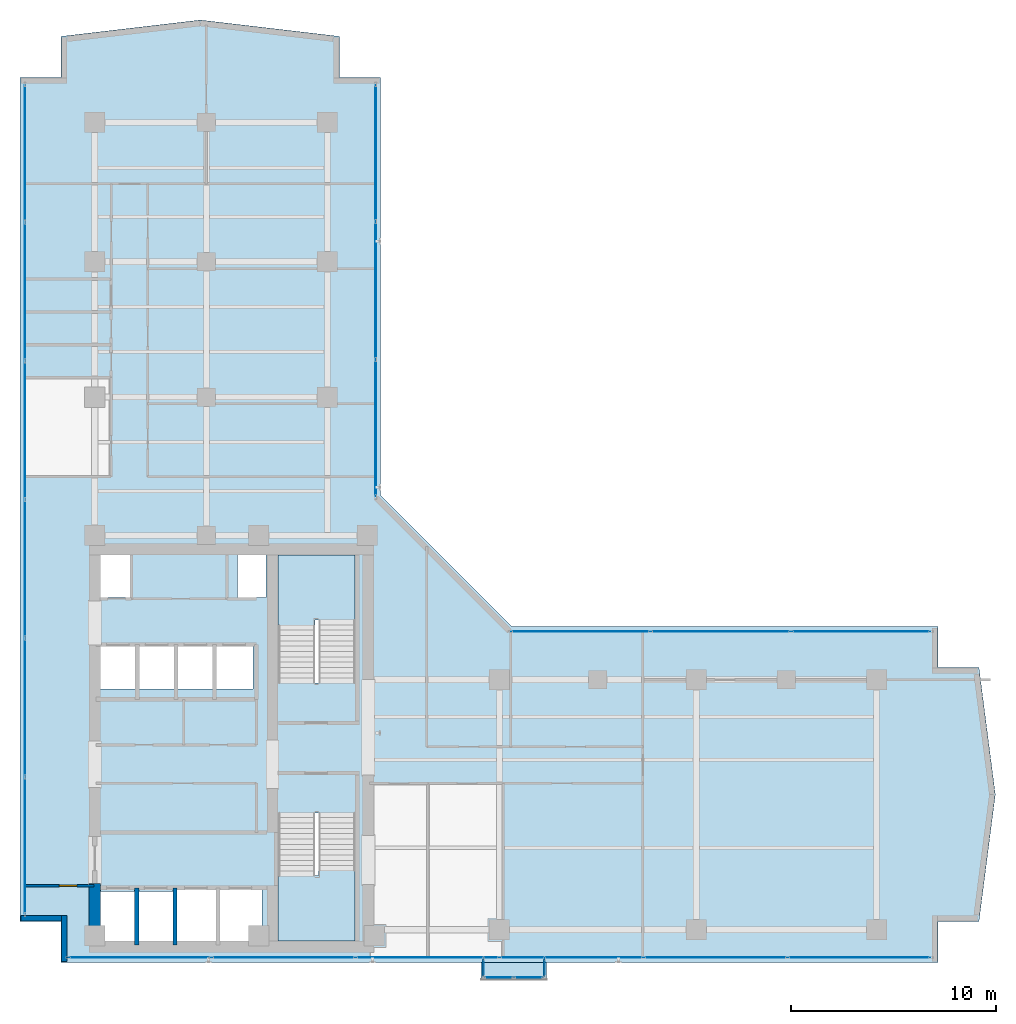
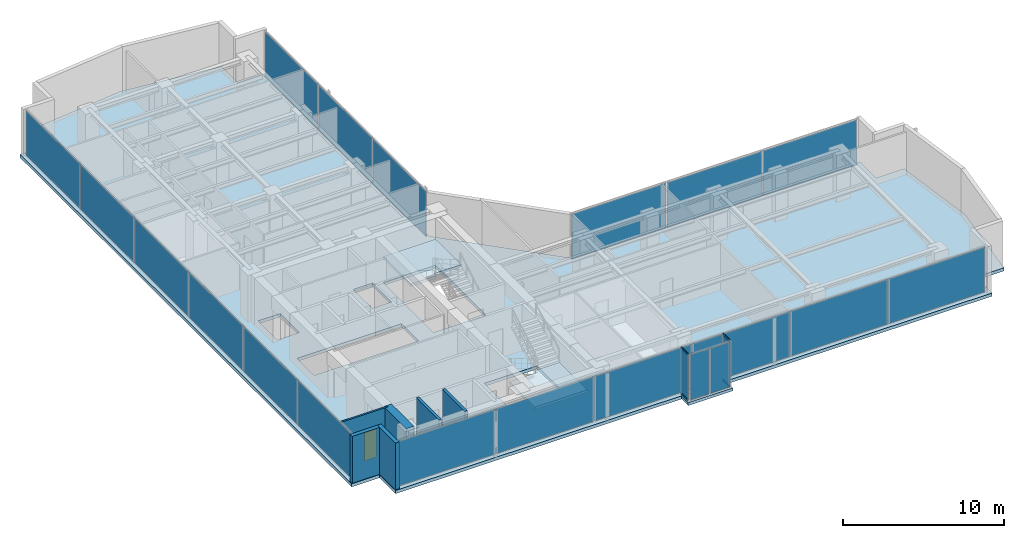
# One storey, part 16 of 23: 22 plates, 6 walls, 4 members, 4 slabs, 1 door, 1 opening, 9 elements without a shape of their own.
"""IFC4 building model written with IfcOpenShell, lengths in metres."""

import ifcopenshell
import ifcopenshell.guid

model = None  # the IFC model being written
_history = None  # IfcOwnerHistory: only IFC2X3 demands one
_inside = {}  # id of a spatial element -> (the spatial element, [elements in it])
_under = {}  # id of a project, library or spatial element -> (it, [spatial elements below it])
_declared = {}  # id of a project -> (the project, [libraries it declares])
_typed = {}  # id of a type object -> (the type object, [elements of that type])
_made_of = {}  # id of a material, layer set ... -> (it, [elements and type objects made of it])


def new_model(schema):
    """Start an empty IFC model of exactly this schema.

    Asked for "IFC4X3", IfcOpenShell would pick the latest addendum, in which some entities
    have other attributes; the version numbers below select the first issue.
    IFC2X3 requires an IfcOwnerHistory on every rooted entity: one is made here for all.
    """
    global model, _history
    if schema == "IFC4X3":
        model = ifcopenshell.file(schema_version=(4, 3, 0, 0))
    else:
        model = ifcopenshell.file(schema=schema)
    _inside.clear()
    _under.clear()
    _declared.clear()
    _typed.clear()
    _made_of.clear()
    _history = None
    if model.schema == "IFC2X3":
        org = make("IfcOrganization", Name="unknown")
        user = make(
            "IfcPersonAndOrganization",
            ThePerson=make("IfcPerson", FamilyName="unknown"),
            TheOrganization=org,
        )
        app = make(
            "IfcApplication",
            ApplicationDeveloper=org,
            Version="unknown",
            ApplicationFullName="unknown",
            ApplicationIdentifier="unknown",
        )
        _history = make(
            "IfcOwnerHistory",
            OwningUser=user,
            OwningApplication=app,
            ChangeAction="ADDED",
            CreationDate=0,
        )
    return model


def make(cls, **values):
    """One entity of the class cls with the attributes given. An attribute that is None is left unset."""
    return model.create_entity(
        cls, **{name: value for name, value in values.items() if value is not None}
    )


def rooted(cls, **values):
    """An entity with a GlobalId (a new one), such as an element, a storey or a relation."""
    return make(cls, GlobalId=ifcopenshell.guid.new(), OwnerHistory=_history, **values)


def si_unit(unit_type, name, prefix=None):
    """IfcSIUnit, for example si_unit("LENGTHUNIT", "METRE", prefix="MILLI")."""
    return make("IfcSIUnit", UnitType=unit_type, Prefix=prefix, Name=name)


def assignment(units):
    """IfcUnitAssignment: the units of a project."""
    return None if units is None else make("IfcUnitAssignment", Units=units)


def point(xyz):
    """IfcCartesianPoint."""
    return None if xyz is None else make("IfcCartesianPoint", Coordinates=xyz)


def direction(xyz):
    """IfcDirection."""
    return None if xyz is None else make("IfcDirection", DirectionRatios=xyz)


def frame(location, z_axis=None, x_axis=None):
    """IfcAxis2Placement3D, a coordinate frame: its origin and axes. An axis left out is left unset."""
    return make(
        "IfcAxis2Placement3D",
        Location=point(location),
        Axis=direction(z_axis),
        RefDirection=direction(x_axis),
    )


def frame_2d(location, x_axis=None):
    """IfcAxis2Placement2D, a coordinate frame in the plane: its origin and x axis."""
    return make(
        "IfcAxis2Placement2D", Location=point(location), RefDirection=direction(x_axis)
    )


def origin():
    """The frame at (0, 0, 0) with its axes left unset."""
    return frame((0.0, 0.0, 0.0))


def origin_with_axes():
    """The frame at (0, 0, 0) with the z axis (0, 0, 1) and the x axis (1, 0, 0) written out."""
    return frame((0.0, 0.0, 0.0), z_axis=(0.0, 0.0, 1.0), x_axis=(1.0, 0.0, 0.0))


def origin_2d():
    """The frame at (0, 0) in the plane with its x axis left unset."""
    return frame_2d((0.0, 0.0))


def place(relative_to, where):
    """IfcLocalPlacement: puts the frame where relative to a parent placement (None: the world)."""
    return make(
        "IfcLocalPlacement", PlacementRelTo=relative_to, RelativePlacement=where
    )


def context(
    kind, dimensions, precision=None, world=None, true_north=None, identifier=None
):
    """IfcGeometricRepresentationContext, for example the 3D "Model" context."""
    return make(
        "IfcGeometricRepresentationContext",
        ContextIdentifier=identifier,
        ContextType=kind,
        CoordinateSpaceDimension=dimensions,
        Precision=precision,
        WorldCoordinateSystem=world,
        TrueNorth=true_north,
    )


def subcontext(parent, identifier, kind, view, scale=None):
    """IfcGeometricRepresentationSubContext, for example "Body" below "Model"."""
    return make(
        "IfcGeometricRepresentationSubContext",
        ContextIdentifier=identifier,
        ContextType=kind,
        ParentContext=parent,
        TargetScale=scale,
        TargetView=view,
    )


def project(units=None, contexts=None):
    """IfcProject with its units and contexts."""
    return rooted(
        "IfcProject",
        Name="project",
        RepresentationContexts=contexts,
        UnitsInContext=assignment(units),
    )


def spatial(cls, under=None, at=None, **own):
    """A site, building, storey or space (cls), placed at a placement, below another one or the project."""
    s = rooted(cls, ObjectPlacement=at, **own)
    if under is not None:
        _under.setdefault(under.id(), (under, []))[1].append(s)
    return s


def polyline(points):
    """IfcPolyline through the points."""
    return make("IfcPolyline", Points=[point(p) for p in points])


def profile(cls, at=None, kind="AREA", **sizes):
    """A parametric profile (cls). Its sizes go by their IFC names, for example OverallWidth=200.0."""
    return make(cls, ProfileType=kind, Position=at, **sizes)


def rectangle(**sizes):
    """IfcRectangleProfileDef."""
    return profile("IfcRectangleProfileDef", **sizes)


def hollow_rectangle(**sizes):
    """IfcRectangleHollowProfileDef."""
    return profile("IfcRectangleHollowProfileDef", **sizes)


def outline(outer, holes=None, kind="AREA"):
    """IfcArbitraryClosedProfileDef: a profile drawn as a closed curve; with holes, ...WithVoids."""
    if holes is None:
        return make("IfcArbitraryClosedProfileDef", ProfileType=kind, OuterCurve=outer)
    return make(
        "IfcArbitraryProfileDefWithVoids",
        ProfileType=kind,
        OuterCurve=outer,
        InnerCurves=holes,
    )


def extrude(swept, where, along, depth):
    """IfcExtrudedAreaSolid: the profile swept, set in the frame where, extruded along a direction by depth."""
    return make(
        "IfcExtrudedAreaSolid",
        SweptArea=swept,
        Position=where,
        ExtrudedDirection=direction(along),
        Depth=depth,
    )


def shape(context_of_items, identifier, shape_type, items):
    """IfcShapeRepresentation: the items that make up one representation, for example the "Body"."""
    return make(
        "IfcShapeRepresentation",
        ContextOfItems=context_of_items,
        RepresentationIdentifier=identifier,
        RepresentationType=shape_type,
        Items=items,
    )


def source(mapping_origin, context_of_items, identifier, shape_type, items):
    """IfcRepresentationMap: a shape defined once, which mapped items show again and again."""
    return make(
        "IfcRepresentationMap",
        MappingOrigin=mapping_origin,
        MappedRepresentation=shape(context_of_items, identifier, shape_type, items),
    )


def transform(
    local_origin,
    x_axis=None,
    y_axis=None,
    z_axis=None,
    scale=None,
    scale2=None,
    scale3=None,
    uniform=True,
):
    """IfcCartesianTransformationOperator3D, or its non-uniform kind. x_axis, y_axis, z_axis: its Axis1, 2, 3."""
    if uniform:
        return make(
            "IfcCartesianTransformationOperator3D",
            Axis1=direction(x_axis),
            Axis2=direction(y_axis),
            LocalOrigin=point(local_origin),
            Scale=scale,
            Axis3=direction(z_axis),
        )
    return make(
        "IfcCartesianTransformationOperator3DnonUniform",
        Axis1=direction(x_axis),
        Axis2=direction(y_axis),
        LocalOrigin=point(local_origin),
        Scale=scale,
        Axis3=direction(z_axis),
        Scale2=scale2,
        Scale3=scale3,
    )


def mapped(mapping_source, mapping_target):
    """IfcMappedItem: shows the shape of a source again, moved by a transform."""
    return make(
        "IfcMappedItem", MappingSource=mapping_source, MappingTarget=mapping_target
    )


def material(Name=None, Category=None):
    """IfcMaterial."""
    return make("IfcMaterial", Name=Name, Category=Category)


def layer(
    of_material, thickness, ventilated=None, Name=None, Category=None, Priority=None
):
    """IfcMaterialLayer: one layer of a wall or slab, of a material (None: an air gap)."""
    return make(
        "IfcMaterialLayer",
        Material=of_material,
        LayerThickness=thickness,
        IsVentilated=ventilated,
        Name=Name,
        Category=Category,
        Priority=Priority,
    )


def layer_set(layers, Name=None):
    """IfcMaterialLayerSet."""
    return make("IfcMaterialLayerSet", MaterialLayers=layers, LayerSetName=Name)


def material_profile(
    of_material, cross_section, Name=None, Category=None, Priority=None
):
    """IfcMaterialProfile: a cross section and its material."""
    return make(
        "IfcMaterialProfile",
        Name=Name,
        Material=of_material,
        Profile=cross_section,
        Priority=Priority,
        Category=Category,
    )


def profile_set(profiles, Name=None, composite=None):
    """IfcMaterialProfileSet."""
    return make(
        "IfcMaterialProfileSet",
        Name=Name,
        MaterialProfiles=profiles,
        CompositeProfile=composite,
    )


def made_of(thing, what):
    """Note that an element or type object is made of a material, layer set ...; save() writes the relation."""
    if what is not None:
        _made_of.setdefault(what.id(), (what, []))[1].append(thing)
    return thing


def type_object(cls, material=None, **own):
    """A type object (cls), such as IfcWallType, which elements share."""
    return made_of(rooted(cls, **own), material)


def element(
    cls,
    number,
    at=None,
    inside=None,
    cuts=None,
    type_object=None,
    material=None,
    context=None,
    identifier="Body",
    shape_type=None,
    held_by="IfcProductDefinitionShape",
    body=None,
    shapes=None,
    **own,
):
    """One element of the class cls, such as IfcWall. Its Tag is "e" and its number.

    at: its placement. inside: the storey or other place that contains it. cuts: it is an
    opening in that element (IfcRelVoidsElement). A single representation is given by context,
    identifier, shape_type and body (its items); several are given by shapes. held_by: the class
    of the entity that holds the representations. save() writes the other relations.
    """
    e = rooted(cls, Tag="e%d" % number, ObjectPlacement=at, **own)
    if body is not None:
        shapes = [shape(context, identifier, shape_type, body)]
    if shapes is not None:
        e.Representation = make(held_by, Representations=shapes)
    if inside is not None:
        _inside.setdefault(inside.id(), (inside, []))[1].append(e)
    if cuts is not None:
        rooted(
            "IfcRelVoidsElement", RelatingBuildingElement=cuts, RelatedOpeningElement=e
        )
    if type_object is not None:
        _typed.setdefault(type_object.id(), (type_object, []))[1].append(e)
    return made_of(e, material)


def fill(opening, filler):
    """IfcRelFillsElement: the door or window that sits in an opening."""
    return rooted(
        "IfcRelFillsElement",
        RelatingOpeningElement=opening,
        RelatedBuildingElement=filler,
    )


def aggregate(whole, parts):
    """IfcRelAggregates: a whole, such as a stair, and the parts it consists of."""
    return rooted("IfcRelAggregates", RelatingObject=whole, RelatedObjects=parts)


def save(model, path):
    """Write the relations noted so far, then the file.

    IfcRelAggregates (storeys below a building ...), IfcRelContainedInSpatialStructure (elements
    in a storey), IfcRelDefinesByType, IfcRelAssociatesMaterial and IfcRelDeclares: one each for
    every whole, place, type object, material and project.
    """
    for whole, parts in _under.values():
        aggregate(whole, parts)
    for where, things in _inside.values():
        rooted(
            "IfcRelContainedInSpatialStructure",
            RelatedElements=things,
            RelatingStructure=where,
        )
    for kind, things in _typed.values():
        rooted("IfcRelDefinesByType", RelatedObjects=things, RelatingType=kind)
    for what, things in _made_of.values():
        rooted("IfcRelAssociatesMaterial", RelatedObjects=things, RelatingMaterial=what)
    for by, libraries in _declared.values():
        rooted("IfcRelDeclares", RelatingContext=by, RelatedDefinitions=libraries)
    model.write(path)


model = new_model("IFC4")

# Units and contexts
model_context = context("Model", 3, precision=1e-05, world=origin(), true_north=direction((0.0, 1.0)))
body_context = subcontext(model_context, "Body", "Model", "MODEL_VIEW")
ifc_project = project(units=[si_unit("LENGTHUNIT", "METRE"), si_unit("AREAUNIT", "SQUARE_METRE"), si_unit("VOLUMEUNIT", "CUBIC_METRE"), si_unit("PLANEANGLEUNIT", "RADIAN"), si_unit("MASSUNIT", "GRAM", prefix="KILO")], contexts=[model_context])

# Site, building, storey
site_placement = place(None, origin())
site = spatial("IfcSite", under=ifc_project, at=site_placement, CompositionType="ELEMENT")
building_placement = place(site_placement, origin())
building = spatial("IfcBuilding", under=site, at=building_placement, Name="Kolvaren Waterfront Exchange", CompositionType="ELEMENT")
storey_placement = place(building_placement, frame((0.0, 0.0, 231.10009765625)))
storey = spatial("IfcBuildingStorey", under=building, at=storey_placement, Name="L59", CompositionType="ELEMENT", Elevation=231.10009765625)

# Curtain wall, members
ifc_material_1 = material(Name="Anodised bronze aluminium 6063-T6", Category="aluminium")
ifc_layer_1 = layer(ifc_material_1, 0.219970703125, Name="Anodised bronze aluminium 6063-T6")
ifc_layer_set_1 = layer_set([ifc_layer_1], Name="Anodised bronze aluminium 6063-T6")
curtain_wall_type_1 = type_object("IfcCurtainWallType", Name="ARC-CW-SYS3", PredefinedType="USERDEFINED", material=ifc_layer_set_1)
curtain_wall_1_placement = place(storey_placement, origin())
curtain_wall_1 = element("IfcCurtainWall", 1, at=curtain_wall_1_placement, inside=storey, type_object=curtain_wall_type_1, Name="L59 stick curtain wall CW3 (CW-L59-BOX-W)", ObjectType="STICK CURTAIN WALL", PredefinedType="USERDEFINED")
ifc_material_profile = material_profile(ifc_material_1, hollow_rectangle(XDim=0.06494140625, YDim=0.1298828125, WallThickness=0.00390625, at=origin_2d()), Name="ALU-TRN-130x65x4")
ifc_profile_set = profile_set([ifc_material_profile], Name="Anodised bronze aluminium 6063-T6")
member_type = type_object("IfcMemberType", Name="ARC-CWT-130", PredefinedType="USERDEFINED", material=ifc_profile_set)
shared_shape_1 = source(origin_with_axes(), body_context, "Body", "SweptSolid", [
    extrude(hollow_rectangle(XDim=0.06494140625, YDim=0.1298828125, WallThickness=0.00390625, at=origin_2d()), origin(), (0.0, 0.0, 1.0), 0.829833984375),
])
member_1_placement = place(storey_placement, frame((26.409912109375, 3.764892578125, 0.032470703125), z_axis=(0.0, -1.0, 0.0), x_axis=(1.0, 0.0, 0.0)))
member_1 = element("IfcMember", 2, at=member_1_placement, type_object=member_type, Name="CW3 transom 1.1", ObjectType="TRANSOM", PredefinedType="USERDEFINED", context=body_context, shape_type="MappedRepresentation", body=[
    mapped(shared_shape_1, transform((0.0, 0.0, 0.0), x_axis=(1.0, 0.0, 0.0), y_axis=(0.0, 1.0, 0.0), z_axis=(0.0, 0.0, 1.0), scale=1.0)),
])
member_2_placement = place(storey_placement, frame((26.409912109375, 3.764892578125, 3.52734375), z_axis=(0.0, -1.0, 0.0), x_axis=(1.0, 0.0, 0.0)))
member_2 = element("IfcMember", 3, at=member_2_placement, type_object=member_type, Name="CW3 transom 1.2", ObjectType="TRANSOM", PredefinedType="USERDEFINED", context=body_context, shape_type="MappedRepresentation", body=[
    mapped(shared_shape_1, transform((0.0, 0.0, 0.0), x_axis=(1.0, 0.0, 0.0), y_axis=(0.0, 1.0, 0.0), z_axis=(0.0, 0.0, 1.0), scale=1.0)),
])

curtain_wall_2_placement = place(storey_placement, origin())
curtain_wall_2 = element("IfcCurtainWall", 4, at=curtain_wall_2_placement, inside=storey, type_object=curtain_wall_type_1, Name="L59 stick curtain wall CW3 (CW-L59-BOX-E)", ObjectType="STICK CURTAIN WALL", PredefinedType="USERDEFINED")
member_3_placement = place(storey_placement, frame((29.389892578125, 2.93505859375, 0.032470703125), z_axis=(0.0, 1.0, 0.0), x_axis=(-1.0, 0.0, 0.0)))
member_3 = element("IfcMember", 5, at=member_3_placement, type_object=member_type, Name="CW3 transom 1.1", ObjectType="TRANSOM", PredefinedType="USERDEFINED", context=body_context, shape_type="MappedRepresentation", body=[
    mapped(shared_shape_1, transform((0.0, 0.0, 0.0), x_axis=(1.0, 0.0, 0.0), y_axis=(0.0, 1.0, 0.0), z_axis=(0.0, 0.0, 1.0), scale=1.0)),
])
member_4_placement = place(storey_placement, frame((29.389892578125, 2.93505859375, 3.52734375), z_axis=(0.0, 1.0, 0.0), x_axis=(-1.0, 0.0, 0.0)))
member_4 = element("IfcMember", 6, at=member_4_placement, type_object=member_type, Name="CW3 transom 1.2", ObjectType="TRANSOM", PredefinedType="USERDEFINED", context=body_context, shape_type="MappedRepresentation", body=[
    mapped(shared_shape_1, transform((0.0, 0.0, 0.0), x_axis=(1.0, 0.0, 0.0), y_axis=(0.0, 1.0, 0.0), z_axis=(0.0, 0.0, 1.0), scale=1.0)),
])

# Stair, slab
ifc_material_2 = material(Name="Concrete C40/50", Category="concrete")
stair_type = type_object("IfcStairType", Name="ARC-STAIR-3800", PredefinedType="HALF_TURN_STAIR", material=ifc_material_2)
stair_1_placement = place(storey_placement, origin())
stair_1 = element("IfcStair", 7, at=stair_1_placement, inside=storey, type_object=stair_type, Name="L59 Smoke-proof exit stair ST1", PredefinedType="HALF_TURN_STAIR")
ifc_layer_2 = layer(ifc_material_2, 0.199951171875, Name="Concrete C40/50")
ifc_layer_set_2 = layer_set([ifc_layer_2], Name="Concrete C40/50")
slab_type_1 = type_object("IfcSlabType", Name="STR-LANDING-200", PredefinedType="LANDING", material=ifc_layer_set_2)
slab_1_placement = place(storey_placement, frame((0.0, 0.0, 1.77587890625)))
slab_1 = element("IfcSlab", 8, at=slab_1_placement, type_object=slab_type_1, Name="ST1 landing 1", PredefinedType="LANDING", context=body_context, shape_type="SweptSolid", body=[
    extrude(outline(polyline([(16.39990234375, 7.840087890625), (16.39990234375, 4.64990234375), (20.159912109375, 4.64990234375), (20.159912109375, 8.10009765625), (18.360107421875, 8.10009765625), (18.360107421875, 7.840087890625), (16.39990234375, 7.840087890625)])), origin(), (0.0, 0.0, 1.0), 0.199951171875),
])
aggregate(stair_1, [slab_1])

stair_2_placement = place(storey_placement, origin())
stair_2 = element("IfcStair", 9, at=stair_2_placement, inside=storey, type_object=stair_type, Name="L59 Smoke-proof exit stair ST2", PredefinedType="HALF_TURN_STAIR")
slab_2_placement = place(storey_placement, frame((0.0, 0.0, 1.77587890625)))
slab_2 = element("IfcSlab", 10, at=slab_2_placement, type_object=slab_type_1, Name="ST2 landing 1", PredefinedType="LANDING", context=body_context, shape_type="SweptSolid", body=[
    extrude(outline(polyline([(20.159912109375, 20.31005859375), (20.159912109375, 23.5), (16.39990234375, 23.5), (16.39990234375, 20.050048828125), (18.199951171875, 20.050048828125), (18.199951171875, 20.31005859375), (20.159912109375, 20.31005859375)])), origin(), (0.0, 0.0, 1.0), 0.199951171875),
])
aggregate(stair_2, [slab_2])

# Slabs
ifc_layer_3 = layer(ifc_material_2, 0.239990234375, Name="Concrete C40/50")
ifc_layer_set_3 = layer_set([ifc_layer_3], Name="Concrete C40/50")
slab_type_2 = type_object("IfcSlabType", Name="STR-SLAB-240", PredefinedType="FLOOR", material=ifc_layer_set_3)
slab_3_placement = place(storey_placement, frame((0.0, 0.0, -0.239990234375)))
element("IfcSlab", 11, at=slab_3_placement, inside=storey, type_object=slab_type_2, Name="L59 structural floor slab", PredefinedType="FLOOR", context=body_context, shape_type="SweptSolid", body=[
    extrude(outline(polyline([(5.800048828125, 3.60009765625), (48.60009765625, 3.60009765625), (48.60009765625, 5.60009765625), (50.60009765625, 5.60009765625), (51.39990234375, 11.800048828125), (50.60009765625, 18.0), (48.60009765625, 18.0), (48.60009765625, 20.0), (27.800048828125, 20.0), (21.39990234375, 26.39990234375), (21.39990234375, 46.800048828125), (19.39990234375, 46.800048828125), (19.39990234375, 48.800048828125), (12.60009765625, 49.60009765625), (5.800048828125, 48.800048828125), (5.800048828125, 46.800048828125), (3.800048828125, 46.800048828125), (3.800048828125, 5.60009765625), (5.800048828125, 5.60009765625), (5.800048828125, 3.60009765625)]), holes=[polyline([(11.320068359375, 7.260009765625), (15.610107421875, 7.260009765625), (15.610107421875, 4.5400390625), (7.719970703125, 4.5400390625), (7.719970703125, 7.06005859375), (11.320068359375, 7.06005859375), (11.320068359375, 7.260009765625)]), polyline([(20.159912109375, 10.89990234375), (20.159912109375, 4.64990234375), (16.39990234375, 4.64990234375), (16.39990234375, 10.89990234375), (20.159912109375, 10.89990234375)]), polyline([(7.669921875, 19.06005859375), (15.159912109375, 19.06005859375), (15.159912109375, 16.93994140625), (7.669921875, 16.93994140625), (7.669921875, 19.06005859375)]), polyline([(16.39990234375, 17.25), (16.39990234375, 23.5), (20.159912109375, 23.5), (20.159912109375, 17.25), (16.39990234375, 17.25)]), polyline([(7.60009765625, 23.780029296875), (9.179931640625, 23.780029296875), (9.179931640625, 21.419921875), (7.60009765625, 21.419921875), (7.60009765625, 23.780029296875)]), polyline([(14.419921875, 23.780029296875), (15.800048828125, 23.780029296875), (15.800048828125, 21.419921875), (14.419921875, 21.419921875), (14.419921875, 23.780029296875)])]), origin(), (0.0, 0.0, 1.0), 0.239990234375),
])
ifc_layer_4 = layer(ifc_material_2, 0.219970703125, Name="Concrete C40/50")
ifc_layer_set_4 = layer_set([ifc_layer_4], Name="Concrete C40/50")
slab_type_3 = type_object("IfcSlabType", Name="STR-TERR-220", PredefinedType="FLOOR", material=ifc_layer_set_4)
slab_4_placement = place(storey_placement, frame((0.0, 0.0, -0.22021484375)))
element("IfcSlab", 12, at=slab_4_placement, inside=storey, type_object=slab_type_3, Name="L59 projecting bay-box floor strip", PredefinedType="FLOOR", context=body_context, shape_type="SweptSolid", body=[
    extrude(outline(polyline([(26.300048828125, 2.75), (29.5, 2.75), (29.5, 3.60009765625), (26.300048828125, 3.60009765625), (26.300048828125, 2.75)])), origin(), (0.0, 0.0, 1.0), 0.22021484375),
])

# Plate
ifc_material_3 = material(Name="Bronze tinted bay-box vision glass", Category="aluminium")
ifc_layer_5 = layer(ifc_material_3, 0.02392578125, Name="Bronze tinted bay-box vision glass")
ifc_layer_set_5 = layer_set([ifc_layer_5], Name="Bronze tinted bay-box vision glass")
plate_type_1 = type_object("IfcPlateType", Name="ARC-CWP-24", PredefinedType="CURTAIN_PANEL", material=ifc_layer_set_5)
shared_shape_2 = source(origin_with_axes(), body_context, "Body", "SweptSolid", [
    extrude(rectangle(XDim=0.830078125, YDim=0.02392578125, at=origin_2d()), origin(), (0.0, 0.0, 1.0), 3.429931640625),
])
plate_1_placement = place(storey_placement, frame((26.409912109375, 3.35009765625, 0.06494140625), z_axis=(0.0, 0.0, 1.0), x_axis=(0.0, -1.0, 0.0)))
plate_1 = element("IfcPlate", 13, at=plate_1_placement, type_object=plate_type_1, Name="CW3 panel 1.1", PredefinedType="CURTAIN_PANEL", context=body_context, shape_type="MappedRepresentation", body=[
    mapped(shared_shape_2, transform((0.0, 0.0, 0.0), x_axis=(1.0, 0.0, 0.0), y_axis=(0.0, 1.0, 0.0), z_axis=(0.0, 0.0, 1.0), scale=1.0)),
])

aggregate(curtain_wall_1, [member_1, member_2, plate_1])

plate_2_placement = place(storey_placement, frame((29.389892578125, 3.35009765625, 0.06494140625), z_axis=(0.0, 0.0, 1.0), x_axis=(0.0, 1.0, 0.0)))
plate_2 = element("IfcPlate", 14, at=plate_2_placement, type_object=plate_type_1, Name="CW3 panel 1.1", PredefinedType="CURTAIN_PANEL", context=body_context, shape_type="MappedRepresentation", body=[
    mapped(shared_shape_2, transform((0.0, 0.0, 0.0), x_axis=(1.0, 0.0, 0.0), y_axis=(0.0, 1.0, 0.0), z_axis=(0.0, 0.0, 1.0), scale=1.0)),
])

aggregate(curtain_wall_2, [member_3, member_4, plate_2])

# Curtain wall, plates
curtain_wall_3_placement = place(storey_placement, origin())
curtain_wall_3 = element("IfcCurtainWall", 15, at=curtain_wall_3_placement, inside=storey, type_object=curtain_wall_type_1, Name="L59 stick curtain wall CW3 (CW-L59-BOX)", ObjectType="STICK CURTAIN WALL", PredefinedType="USERDEFINED")
shared_shape_3 = source(origin_with_axes(), body_context, "Body", "SweptSolid", [
    extrude(rectangle(XDim=1.37744140625, YDim=0.02392578125, at=origin_2d()), origin(), (0.0, 0.0, 1.0), 3.429931640625),
])
plate_3_placement = place(storey_placement, frame((27.173828125, 2.860107421875, 0.06494140625), z_axis=(0.0, 0.0, 1.0), x_axis=(1.0, 0.0, 0.0)))
plate_3 = element("IfcPlate", 16, at=plate_3_placement, type_object=plate_type_1, Name="CW3 panel 1.1", PredefinedType="CURTAIN_PANEL", context=body_context, shape_type="MappedRepresentation", body=[
    mapped(shared_shape_3, transform((0.0, 0.0, 0.0), x_axis=(1.0, 0.0, 0.0), y_axis=(0.0, 1.0, 0.0), z_axis=(0.0, 0.0, 1.0), scale=1.0)),
])
plate_4_placement = place(storey_placement, frame((28.626220703125, 2.860107421875, 0.06494140625), z_axis=(0.0, 0.0, 1.0), x_axis=(1.0, 0.0, 0.0)))
plate_4 = element("IfcPlate", 17, at=plate_4_placement, type_object=plate_type_1, Name="CW3 panel 2.1", PredefinedType="CURTAIN_PANEL", context=body_context, shape_type="MappedRepresentation", body=[
    mapped(shared_shape_3, transform((0.0, 0.0, 0.0), x_axis=(1.0, 0.0, 0.0), y_axis=(0.0, 1.0, 0.0), z_axis=(0.0, 0.0, 1.0), scale=1.0)),
])
aggregate(curtain_wall_3, [plate_3, plate_4])

ifc_material_4 = material(Name="Anodised aluminium 6063-T6", Category="aluminium")
ifc_layer_6 = layer(ifc_material_4, 0.219970703125, Name="Anodised aluminium 6063-T6")
ifc_layer_set_6 = layer_set([ifc_layer_6], Name="Anodised aluminium 6063-T6")
curtain_wall_type_2 = type_object("IfcCurtainWallType", Name="ARC-CW-SYS2", PredefinedType="USERDEFINED", material=ifc_layer_set_6)
curtain_wall_4_placement = place(storey_placement, origin())
curtain_wall_4 = element("IfcCurtainWall", 18, at=curtain_wall_4_placement, inside=storey, type_object=curtain_wall_type_2, Name="L59 stick curtain wall CW2 (CW-L59-W)", ObjectType="STICK CURTAIN WALL", PredefinedType="USERDEFINED")
ifc_material_5 = material(Name="Acoustic laminated vision glass", Category="glass")
ifc_layer_7 = layer(ifc_material_5, 0.031982421875, Name="Acoustic laminated vision glass")
ifc_layer_set_7 = layer_set([ifc_layer_7], Name="Acoustic laminated vision glass")
plate_type_2 = type_object("IfcPlateType", Name="ARC-CWP-32", PredefinedType="CURTAIN_PANEL", material=ifc_layer_set_7)
shared_shape_4 = source(origin_with_axes(), body_context, "Body", "SweptSolid", [
    extrude(rectangle(XDim=6.646728515625, YDim=0.031982421875, at=origin_2d()), origin(), (0.0, 0.0, 1.0), 3.409912109375),
])
plate_5_placement = place(storey_placement, frame((4.0400390625, 9.30322265625, 0.07470703125), z_axis=(0.0, 0.0, 1.0), x_axis=(0.0, 1.0, 0.0)))
plate_5 = element("IfcPlate", 19, at=plate_5_placement, type_object=plate_type_2, Name="CW2 panel 1.1", PredefinedType="CURTAIN_PANEL", context=body_context, shape_type="MappedRepresentation", body=[
    mapped(shared_shape_4, transform((0.0, 0.0, 0.0), x_axis=(1.0, 0.0, 0.0), y_axis=(0.0, 1.0, 0.0), z_axis=(0.0, 0.0, 1.0), scale=1.0)),
])
plate_6_placement = place(storey_placement, frame((4.0400390625, 43.0966796875, 0.07470703125), z_axis=(0.0, 0.0, 1.0), x_axis=(0.0, 1.0, 0.0)))
plate_6 = element("IfcPlate", 20, at=plate_6_placement, type_object=plate_type_2, Name="CW2 panel 6.1", PredefinedType="CURTAIN_PANEL", context=body_context, shape_type="MappedRepresentation", body=[
    mapped(shared_shape_4, transform((0.0, 0.0, 0.0), x_axis=(1.0, 0.0, 0.0), y_axis=(0.0, 1.0, 0.0), z_axis=(0.0, 0.0, 1.0), scale=1.0)),
])
shared_shape_5 = source(origin_with_axes(), body_context, "Body", "SweptSolid", [
    extrude(rectangle(XDim=6.686767578125, YDim=0.031982421875, at=origin_2d()), origin(), (0.0, 0.0, 1.0), 3.409912109375),
])
plate_7_placement = place(storey_placement, frame((4.0400390625, 16.050048828125, 0.07470703125), z_axis=(0.0, 0.0, 1.0), x_axis=(0.0, 1.0, 0.0)))
plate_7 = element("IfcPlate", 21, at=plate_7_placement, type_object=plate_type_2, Name="CW2 panel 2.1", PredefinedType="CURTAIN_PANEL", context=body_context, shape_type="MappedRepresentation", body=[
    mapped(shared_shape_5, transform((0.0, 0.0, 0.0), x_axis=(1.0, 0.0, 0.0), y_axis=(0.0, 1.0, 0.0), z_axis=(0.0, 0.0, 1.0), scale=1.0)),
])
plate_8_placement = place(storey_placement, frame((4.0400390625, 22.816650390625, 0.07470703125), z_axis=(0.0, 0.0, 1.0), x_axis=(0.0, 1.0, 0.0)))
plate_8 = element("IfcPlate", 22, at=plate_8_placement, type_object=plate_type_2, Name="CW2 panel 3.1", PredefinedType="CURTAIN_PANEL", context=body_context, shape_type="MappedRepresentation", body=[
    mapped(shared_shape_5, transform((0.0, 0.0, 0.0), x_axis=(1.0, 0.0, 0.0), y_axis=(0.0, 1.0, 0.0), z_axis=(0.0, 0.0, 1.0), scale=1.0)),
])
plate_9_placement = place(storey_placement, frame((4.0400390625, 29.583251953125, 0.07470703125), z_axis=(0.0, 0.0, 1.0), x_axis=(0.0, 1.0, 0.0)))
plate_9 = element("IfcPlate", 23, at=plate_9_placement, type_object=plate_type_2, Name="CW2 panel 4.1", PredefinedType="CURTAIN_PANEL", context=body_context, shape_type="MappedRepresentation", body=[
    mapped(shared_shape_5, transform((0.0, 0.0, 0.0), x_axis=(1.0, 0.0, 0.0), y_axis=(0.0, 1.0, 0.0), z_axis=(0.0, 0.0, 1.0), scale=1.0)),
])
plate_10_placement = place(storey_placement, frame((4.0400390625, 36.35009765625, 0.07470703125), z_axis=(0.0, 0.0, 1.0), x_axis=(0.0, 1.0, 0.0)))
plate_10 = element("IfcPlate", 24, at=plate_10_placement, type_object=plate_type_2, Name="CW2 panel 5.1", PredefinedType="CURTAIN_PANEL", context=body_context, shape_type="MappedRepresentation", body=[
    mapped(shared_shape_5, transform((0.0, 0.0, 0.0), x_axis=(1.0, 0.0, 0.0), y_axis=(0.0, 1.0, 0.0), z_axis=(0.0, 0.0, 1.0), scale=1.0)),
])
aggregate(curtain_wall_4, [plate_5, plate_7, plate_8, plate_9, plate_10, plate_6])

ifc_layer_8 = layer(ifc_material_1, 0.219970703125, Name="Anodised bronze aluminium 6063-T6")
ifc_layer_set_8 = layer_set([ifc_layer_8], Name="Anodised bronze aluminium 6063-T6")
curtain_wall_type_3 = type_object("IfcCurtainWallType", Name="ARC-CW-SYS1", PredefinedType="USERDEFINED", material=ifc_layer_set_8)
curtain_wall_5_placement = place(storey_placement, origin())
curtain_wall_5 = element("IfcCurtainWall", 25, at=curtain_wall_5_placement, inside=storey, type_object=curtain_wall_type_3, Name="L59 stick curtain wall CW1 (CW-L59-S)", ObjectType="STICK CURTAIN WALL", PredefinedType="USERDEFINED")
ifc_material_6 = material(Name="Bronze solar control vision glass", Category="aluminium")
ifc_layer_9 = layer(ifc_material_6, 0.028076171875, Name="Bronze solar control vision glass")
ifc_layer_set_9 = layer_set([ifc_layer_9], Name="Bronze solar control vision glass")
plate_type_3 = type_object("IfcPlateType", Name="ARC-CWP-28", PredefinedType="CURTAIN_PANEL", material=ifc_layer_set_9)
shared_shape_6 = source(origin_with_axes(), body_context, "Body", "SweptSolid", [
    extrude(rectangle(XDim=6.913330078125, YDim=0.028076171875, at=origin_2d()), origin(), (0.0, 0.0, 1.0), 3.409912109375),
])
plate_11_placement = place(storey_placement, frame((9.63671875, 3.840087890625, 0.07470703125), z_axis=(0.0, 0.0, 1.0), x_axis=(1.0, 0.0, 0.0)))
plate_11 = element("IfcPlate", 26, at=plate_11_placement, type_object=plate_type_3, Name="CW1 panel 1.1", PredefinedType="CURTAIN_PANEL", context=body_context, shape_type="MappedRepresentation", body=[
    mapped(shared_shape_6, transform((0.0, 0.0, 0.0), x_axis=(1.0, 0.0, 0.0), y_axis=(0.0, 1.0, 0.0), z_axis=(0.0, 0.0, 1.0), scale=1.0)),
])
plate_12_placement = place(storey_placement, frame((44.763427734375, 3.840087890625, 0.07470703125), z_axis=(0.0, 0.0, 1.0), x_axis=(1.0, 0.0, 0.0)))
plate_12 = element("IfcPlate", 27, at=plate_12_placement, type_object=plate_type_3, Name="CW1 panel 6.1", PredefinedType="CURTAIN_PANEL", context=body_context, shape_type="MappedRepresentation", body=[
    mapped(shared_shape_6, transform((0.0, 0.0, 0.0), x_axis=(1.0, 0.0, 0.0), y_axis=(0.0, 1.0, 0.0), z_axis=(0.0, 0.0, 1.0), scale=1.0)),
])
shared_shape_7 = source(origin_with_axes(), body_context, "Body", "SweptSolid", [
    extrude(rectangle(XDim=6.953369140625, YDim=0.028076171875, at=origin_2d()), origin(), (0.0, 0.0, 1.0), 3.409912109375),
])
plate_13_placement = place(storey_placement, frame((16.64990234375, 3.840087890625, 0.07470703125), z_axis=(0.0, 0.0, 1.0), x_axis=(1.0, 0.0, 0.0)))
plate_13 = element("IfcPlate", 28, at=plate_13_placement, type_object=plate_type_3, Name="CW1 panel 2.1", PredefinedType="CURTAIN_PANEL", context=body_context, shape_type="MappedRepresentation", body=[
    mapped(shared_shape_7, transform((0.0, 0.0, 0.0), x_axis=(1.0, 0.0, 0.0), y_axis=(0.0, 1.0, 0.0), z_axis=(0.0, 0.0, 1.0), scale=1.0)),
])
plate_14_placement = place(storey_placement, frame((23.683349609375, 3.840087890625, 0.07470703125), z_axis=(0.0, 0.0, 1.0), x_axis=(1.0, 0.0, 0.0)))
plate_14 = element("IfcPlate", 29, at=plate_14_placement, type_object=plate_type_3, Name="CW1 panel 3.1", PredefinedType="CURTAIN_PANEL", context=body_context, shape_type="MappedRepresentation", body=[
    mapped(shared_shape_7, transform((0.0, 0.0, 0.0), x_axis=(1.0, 0.0, 0.0), y_axis=(0.0, 1.0, 0.0), z_axis=(0.0, 0.0, 1.0), scale=1.0)),
])
plate_15_placement = place(storey_placement, frame((30.716552734375, 3.840087890625, 0.07470703125), z_axis=(0.0, 0.0, 1.0), x_axis=(1.0, 0.0, 0.0)))
plate_15 = element("IfcPlate", 30, at=plate_15_placement, type_object=plate_type_3, Name="CW1 panel 4.1", PredefinedType="CURTAIN_PANEL", context=body_context, shape_type="MappedRepresentation", body=[
    mapped(shared_shape_7, transform((0.0, 0.0, 0.0), x_axis=(1.0, 0.0, 0.0), y_axis=(0.0, 1.0, 0.0), z_axis=(0.0, 0.0, 1.0), scale=1.0)),
])
plate_16_placement = place(storey_placement, frame((37.75, 3.840087890625, 0.07470703125), z_axis=(0.0, 0.0, 1.0), x_axis=(1.0, 0.0, 0.0)))
plate_16 = element("IfcPlate", 31, at=plate_16_placement, type_object=plate_type_3, Name="CW1 panel 5.1", PredefinedType="CURTAIN_PANEL", context=body_context, shape_type="MappedRepresentation", body=[
    mapped(shared_shape_7, transform((0.0, 0.0, 0.0), x_axis=(1.0, 0.0, 0.0), y_axis=(0.0, 1.0, 0.0), z_axis=(0.0, 0.0, 1.0), scale=1.0)),
])
aggregate(curtain_wall_5, [plate_11, plate_13, plate_14, plate_15, plate_16, plate_12])

curtain_wall_6_placement = place(storey_placement, origin())
curtain_wall_6 = element("IfcCurtainWall", 32, at=curtain_wall_6_placement, inside=storey, type_object=curtain_wall_type_3, Name="L59 stick curtain wall CW1 (CW-L59-NE)", ObjectType="STICK CURTAIN WALL", PredefinedType="USERDEFINED")
shared_shape_8 = source(origin_with_axes(), body_context, "Body", "SweptSolid", [
    extrude(rectangle(XDim=6.61669921875, YDim=0.028076171875, at=origin_2d()), origin(), (0.0, 0.0, 1.0), 3.409912109375),
])
plate_17_placement = place(storey_placement, frame((21.159912109375, 29.67822265625, 0.07470703125), z_axis=(0.0, 0.0, 1.0), x_axis=(0.0, 1.0, 0.0)))
plate_17 = element("IfcPlate", 33, at=plate_17_placement, type_object=plate_type_3, Name="CW1 panel 1.1", PredefinedType="CURTAIN_PANEL", context=body_context, shape_type="MappedRepresentation", body=[
    mapped(shared_shape_8, transform((0.0, 0.0, 0.0), x_axis=(1.0, 0.0, 0.0), y_axis=(0.0, 1.0, 0.0), z_axis=(0.0, 0.0, 1.0), scale=1.0)),
])
plate_18_placement = place(storey_placement, frame((21.159912109375, 43.111572265625, 0.07470703125), z_axis=(0.0, 0.0, 1.0), x_axis=(0.0, 1.0, 0.0)))
plate_18 = element("IfcPlate", 34, at=plate_18_placement, type_object=plate_type_3, Name="CW1 panel 3.1", PredefinedType="CURTAIN_PANEL", context=body_context, shape_type="MappedRepresentation", body=[
    mapped(shared_shape_8, transform((0.0, 0.0, 0.0), x_axis=(1.0, 0.0, 0.0), y_axis=(0.0, 1.0, 0.0), z_axis=(0.0, 0.0, 1.0), scale=1.0)),
])
shared_shape_9 = source(origin_with_axes(), body_context, "Body", "SweptSolid", [
    extrude(rectangle(XDim=6.65673828125, YDim=0.028076171875, at=origin_2d()), origin(), (0.0, 0.0, 1.0), 3.409912109375),
])
plate_19_placement = place(storey_placement, frame((21.159912109375, 36.39501953125, 0.07470703125), z_axis=(0.0, 0.0, 1.0), x_axis=(0.0, 1.0, 0.0)))
plate_19 = element("IfcPlate", 35, at=plate_19_placement, type_object=plate_type_3, Name="CW1 panel 2.1", PredefinedType="CURTAIN_PANEL", context=body_context, shape_type="MappedRepresentation", body=[
    mapped(shared_shape_9, transform((0.0, 0.0, 0.0), x_axis=(1.0, 0.0, 0.0), y_axis=(0.0, 1.0, 0.0), z_axis=(0.0, 0.0, 1.0), scale=1.0)),
])
aggregate(curtain_wall_6, [plate_17, plate_19, plate_18])

curtain_wall_7_placement = place(storey_placement, origin())
curtain_wall_7 = element("IfcCurtainWall", 36, at=curtain_wall_7_placement, inside=storey, type_object=curtain_wall_type_3, Name="L59 stick curtain wall CW1 (CW-L59-EN)", ObjectType="STICK CURTAIN WALL", PredefinedType="USERDEFINED")
shared_shape_10 = source(origin_with_axes(), body_context, "Body", "SweptSolid", [
    extrude(rectangle(XDim=6.75, YDim=0.028076171875, at=origin_2d()), origin(), (0.0, 0.0, 1.0), 3.409912109375),
])
plate_20_placement = place(storey_placement, frame((31.14501953125, 19.760009765625, 0.07470703125), z_axis=(0.0, 0.0, 1.0), x_axis=(1.0, 0.0, 0.0)))
plate_20 = element("IfcPlate", 37, at=plate_20_placement, type_object=plate_type_3, Name="CW1 panel 1.1", PredefinedType="CURTAIN_PANEL", context=body_context, shape_type="MappedRepresentation", body=[
    mapped(shared_shape_10, transform((0.0, 0.0, 0.0), x_axis=(1.0, 0.0, 0.0), y_axis=(0.0, 1.0, 0.0), z_axis=(0.0, 0.0, 1.0), scale=1.0)),
])
plate_21_placement = place(storey_placement, frame((44.844970703125, 19.760009765625, 0.07470703125), z_axis=(0.0, 0.0, 1.0), x_axis=(1.0, 0.0, 0.0)))
plate_21 = element("IfcPlate", 38, at=plate_21_placement, type_object=plate_type_3, Name="CW1 panel 3.1", PredefinedType="CURTAIN_PANEL", context=body_context, shape_type="MappedRepresentation", body=[
    mapped(shared_shape_10, transform((0.0, 0.0, 0.0), x_axis=(1.0, 0.0, 0.0), y_axis=(0.0, 1.0, 0.0), z_axis=(0.0, 0.0, 1.0), scale=1.0)),
])
shared_shape_11 = source(origin_with_axes(), body_context, "Body", "SweptSolid", [
    extrude(rectangle(XDim=6.7900390625, YDim=0.028076171875, at=origin_2d()), origin(), (0.0, 0.0, 1.0), 3.409912109375),
])
plate_22_placement = place(storey_placement, frame((37.9951171875, 19.760009765625, 0.07470703125), z_axis=(0.0, 0.0, 1.0), x_axis=(1.0, 0.0, 0.0)))
plate_22 = element("IfcPlate", 39, at=plate_22_placement, type_object=plate_type_3, Name="CW1 panel 2.1", PredefinedType="CURTAIN_PANEL", context=body_context, shape_type="MappedRepresentation", body=[
    mapped(shared_shape_11, transform((0.0, 0.0, 0.0), x_axis=(1.0, 0.0, 0.0), y_axis=(0.0, 1.0, 0.0), z_axis=(0.0, 0.0, 1.0), scale=1.0)),
])
aggregate(curtain_wall_7, [plate_20, plate_22, plate_21])

# Walls
ifc_material_7 = material(Name="Precast concrete C40/50", Category="concrete")
ifc_layer_10 = layer(ifc_material_7, 0.280029296875, Name="Precast concrete C40/50")
ifc_layer_set_10 = layer_set([ifc_layer_10], Name="Precast concrete C40/50")
wall_type_1 = type_object("IfcWallType", Name="ARC-EXT-TERR-280", PredefinedType="SOLIDWALL", material=ifc_layer_set_10)
wall_1_placement = place(storey_placement, frame((5.9599609375, 3.659912109375, 0.0), z_axis=(0.0, 0.0, 1.0), x_axis=(0.0, 1.0, 0.0)))
element("IfcWall", 40, at=wall_1_placement, inside=storey, type_object=wall_type_1, Name="L59 notched corner spandrel pier SW-A", PredefinedType="SOLIDWALL", context=body_context, shape_type="SweptSolid", body=[
    extrude(rectangle(XDim=2.239990234375, YDim=0.280029296875, at=frame_2d((1.1201171875, 0.0))), origin(), (0.0, 0.0, 1.0), 3.559814453125),
])
wall_2_placement = place(storey_placement, frame((3.860107421875, 5.760009765625, 0.0), z_axis=(0.0, 0.0, 1.0), x_axis=(1.0, 0.0, 0.0)))
element("IfcWall", 41, at=wall_2_placement, inside=storey, type_object=wall_type_1, Name="L59 notched corner spandrel pier SW-B", PredefinedType="SOLIDWALL", context=body_context, shape_type="SweptSolid", body=[
    extrude(rectangle(XDim=1.9599609375, YDim=0.280029296875, at=frame_2d((0.97998046875, 0.0))), origin(), (0.0, 0.0, 1.0), 3.559814453125),
])

# Wall, opening, door
ifc_material_8 = material(Name="Acoustic gypsum steel stud", Category="steel")
ifc_layer_11 = layer(ifc_material_8, 0.125, Name="Acoustic gypsum steel stud")
ifc_layer_set_11 = layer_set([ifc_layer_11], Name="Acoustic gypsum steel stud")
wall_type_2 = type_object("IfcWallType", Name="ARC-PART-125", PredefinedType="PARTITIONING", material=ifc_layer_set_11)
wall_3_placement = place(storey_placement, frame((4.0400390625, 7.35009765625, 0.0), z_axis=(0.0, 0.0, 1.0), x_axis=(1.0, 0.0, 0.0)))
wall_3 = element("IfcWall", 42, at=wall_3_placement, inside=storey, type_object=wall_type_2, Name="L59 interior wall PW-L59-SWC-N", PredefinedType="PARTITIONING", context=body_context, shape_type="SweptSolid", body=[
    extrude(rectangle(XDim=3.35986328125, YDim=0.125, at=frame_2d((1.679931640625, 0.0))), origin(), (0.0, 0.0, 1.0), 3.559814453125),
])
opening_placement = place(wall_3_placement, frame((1.686767578125, 0.0, 0.0)))
opening = element("IfcOpeningElement", 43, at=opening_placement, cuts=wall_3, Name="Opening D01", PredefinedType="OPENING", context=body_context, shape_type="SweptSolid", body=[
    extrude(rectangle(XDim=0.85009765625, YDim=2.14990234375, at=frame_2d((0.425048828125, 1.074951171875))), frame((0.0, 0.072509765625, 0.0), z_axis=(0.0, -1.0, 0.0), x_axis=(1.0, 0.0, 0.0)), (0.0, 0.0, 1.0), 0.14501953125),
])
ifc_material_9 = material(Name="Oak veneer timber leaf", Category="wood")
door_type = type_object("IfcDoorType", Name="ARC-DR-900", OperationType="NOTDEFINED", PredefinedType="DOOR", material=ifc_material_9)
door_placement = place(opening_placement, origin())
door = element("IfcDoor", 44, at=door_placement, inside=storey, type_object=door_type, Name="L59 door DR-L59-SWC-D (D01)", OperationType="SINGLE_SWING_LEFT", OverallHeight=2.14990234375, OverallWidth=0.85009765625, PredefinedType="DOOR", context=body_context, shape_type="SweptSolid", body=[
    extrude(rectangle(XDim=0.85009765625, YDim=2.14990234375, at=frame_2d((0.425048828125, 1.074951171875))), frame((0.0, 0.02490234375, 0.0), z_axis=(0.0, -1.0, 0.0), x_axis=(1.0, 0.0, 0.0)), (0.0, 0.0, 1.0), 0.050048828125),
])
fill(opening, door)

# Walls
ifc_layer_12 = layer(ifc_material_2, 0.199951171875, Name="Concrete C40/50")
ifc_layer_set_12 = layer_set([ifc_layer_12], Name="Concrete C40/50")
wall_type_3 = type_object("IfcWallType", Name="ARC-SHAFT-200", PredefinedType="PARTITIONING", material=ifc_layer_set_12)
for number, where, z_axis, x_axis, name in (
    (45, (9.5, 4.449951171875, 0.0), (0.0, 0.0, 1.0), (0.0, 1.0, 0.0), "L59 interior wall PW-L59-SH1-DIV-95"),
    (46, (11.360107421875, 4.449951171875, 0.0), (0.0, 0.0, 1.0), (0.0, 1.0, 0.0), "L59 interior wall PW-L59-SH1-DIV-113"),
):
    element("IfcWall", number, at=place(storey_placement, frame(where, z_axis=z_axis, x_axis=x_axis)), inside=storey, type_object=wall_type_3, Name=name, PredefinedType="PARTITIONING", context=body_context, shape_type="SweptSolid", body=[
        extrude(rectangle(XDim=2.800048828125, YDim=0.199951171875, at=frame_2d((1.39990234375, 0.0))), origin(), (0.0, 0.0, 1.0), 3.559814453125),
    ])
ifc_material_10 = material(Name="Concrete C50/60", Category="concrete")
ifc_layer_13 = layer(ifc_material_10, 0.550048828125, Name="Concrete C50/60")
ifc_layer_set_13 = layer_set([ifc_layer_13], Name="Concrete C50/60")
wall_type_4 = type_object("IfcWallType", Name="STR-CWALL-550", PredefinedType="SHEAR", material=ifc_layer_set_13)
wall_4_placement = place(storey_placement, frame((7.449951171875, 4.64990234375, 0.0), z_axis=(0.0, 0.0, 1.0), x_axis=(0.0, 1.0, 0.0)))
element("IfcWall", 47, at=wall_4_placement, inside=storey, type_object=wall_type_4, Name="L59 rear-core shear wall W1", PredefinedType="SHEAR", context=body_context, shape_type="SweptSolid", body=[
    extrude(rectangle(XDim=2.800048828125, YDim=0.550048828125, at=frame_2d((1.39990234375, 0.0))), origin(), (0.0, 0.0, 1.0), 3.559814453125),
])

save(model, "model.ifc")
